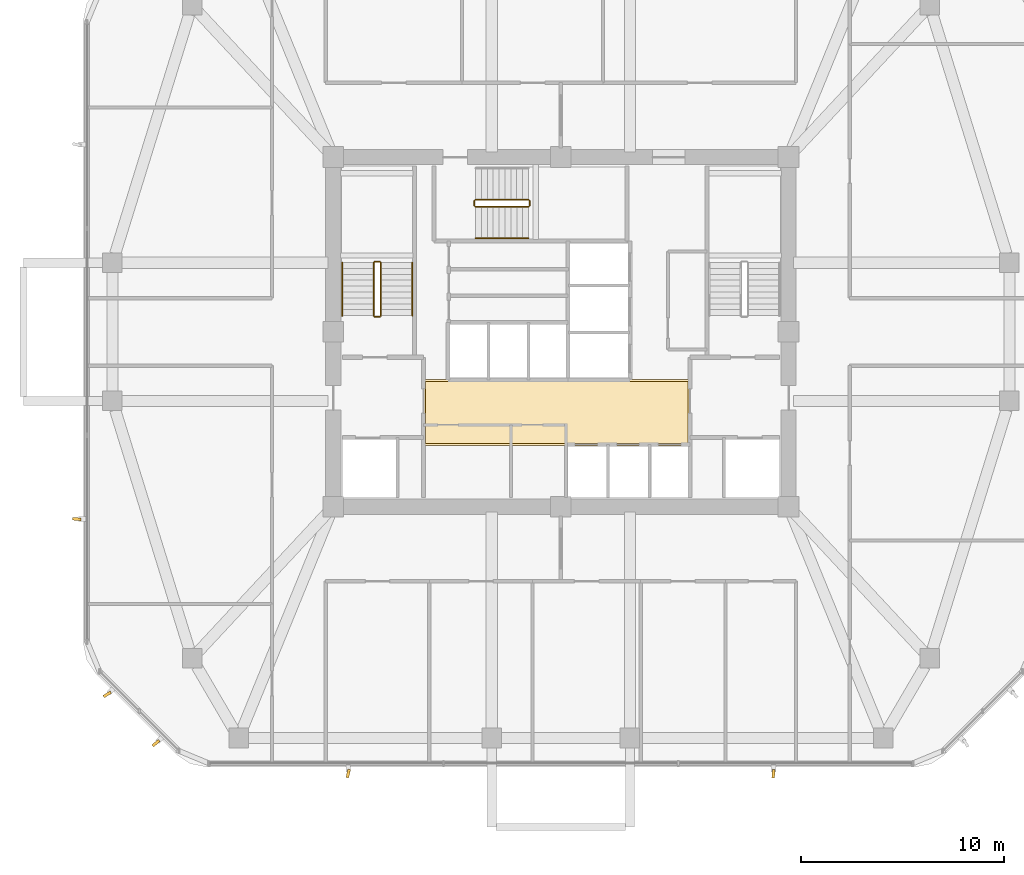
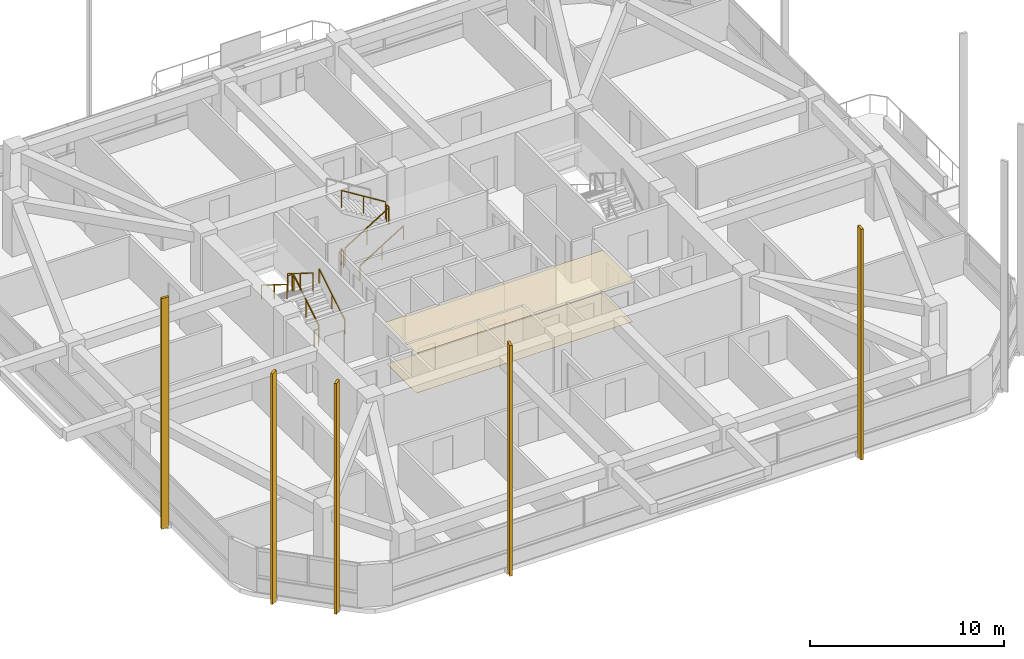
# One storey, part 12 of 14: 11 railings, 5 shading devices, 2 coverings.
"""IFC4 building model written with IfcOpenShell, lengths in metres."""

from ifc_helpers import new_model, si_unit, derived_unit, direction, frame, origin, origin_2d, place, context, subcontext, project, spatial, polyline, rectangle, outline, extrude, material, layer, layer_set, type_object, element, save


model = new_model("IFC4")

# Units and contexts
model_context = context("Model", 3, precision=1e-05, world=origin(), true_north=direction((0.0, 1.0)))
body_context = subcontext(model_context, "Body", "Model", "MODEL_VIEW")
ifc_project = project(units=[si_unit("LENGTHUNIT", "METRE"), si_unit("AREAUNIT", "SQUARE_METRE"), si_unit("VOLUMEUNIT", "CUBIC_METRE"), si_unit("PLANEANGLEUNIT", "RADIAN"), si_unit("MASSUNIT", "GRAM", prefix="KILO"), derived_unit("THERMALTRANSMITTANCEUNIT", [(si_unit("POWERUNIT", "WATT"), 1), (si_unit("LENGTHUNIT", "METRE"), -2), (si_unit("THERMODYNAMICTEMPERATUREUNIT", "KELVIN"), -1)])], contexts=[model_context])

# Site, building, storey
site_placement = place(None, origin())
site = spatial("IfcSite", under=ifc_project, at=site_placement, CompositionType="ELEMENT")
building_placement = place(site_placement, origin())
building = spatial("IfcBuilding", under=site, at=building_placement, Name="Koralith Skygarden Medical Center", CompositionType="ELEMENT")
storey_placement = place(building_placement, frame((0.0, 0.0, 145.6201171875)))
storey = spatial("IfcBuildingStorey", under=building, at=storey_placement, Name="L37", CompositionType="ELEMENT", Elevation=145.6201171875)

# Covering
ifc_material_1 = material(Name="Acoustic Mineral Tile")
ifc_layer_1 = layer(ifc_material_1, 0.02001953125)
ifc_layer_set_1 = layer_set([ifc_layer_1], Name="Acoustic Mineral Tile")
covering_type_1 = type_object("IfcCoveringType", Name="Acoustic Hygienic Mineral Ceiling 20", PredefinedType="CEILING", material=ifc_layer_set_1)
covering_1_placement = place(storey_placement, frame((0.0, 0.0, 2.5849609375)))
element("IfcCovering", 1, at=covering_1_placement, inside=storey, type_object=covering_type_1, Name="L37 Core Lobby Acoustic Ceiling", PredefinedType="CEILING", context=body_context, shape_type="SweptSolid", body=[
    extrude(outline(polyline([(30.25, 20.320068359375), (43.35009765625, 20.320068359375), (43.35009765625, 23.56005859375), (30.25, 23.56005859375), (30.25, 20.320068359375)])), origin(), (0.0, 0.0, 1.0), 0.02001953125),
])

# Shading devices
ifc_material_2 = material(Name="Aluminium 6063-T6", Category="aluminium")
shading_device_type = type_object("IfcShadingDeviceType", Name="Limestone-Clad Solar Storm Fin 420", PredefinedType="USERDEFINED", material=ifc_material_2)
for number, where, z_axis, x_axis, name in (
    (2, (26.5400390625, 4.169921875, -0.2001953125), (0.0, 0.0, 1.0), (-0.226464313299, -0.974019463256, 0.0), "L37 S Harmonic Solar Storm Fin 1"),
    (3, (47.4599609375, 4.169921875, -0.2001953125), (0.0, 0.0, 1.0), (-0.086755837554, -0.996229604384, 0.0), "L37 S Harmonic Solar Storm Fin 2"),
    (4, (13.18603515625, 16.68994140625, -0.2001953125), (0.0, 0.0, 1.0), (-0.996229604384, 0.086755837554, 0.0), "L37 W Harmonic Solar Storm Fin 2"),
    (5, (14.68408203125, 8.06591796875, -0.2001953125), (0.0, 0.0, 1.0), (-0.848870219107, -0.528601315846, 0.0), "L37 SW Harmonic Solar Storm Fin 1"),
    (6, (17.08203125, 5.66796875, -0.2001953125), (0.0, 0.0, 1.0), (-0.765786349921, -0.643095067836, 0.0), "L37 SW Harmonic Solar Storm Fin 2"),
):
    element("IfcShadingDevice", number, at=place(storey_placement, frame(where, z_axis=z_axis, x_axis=x_axis)), inside=storey, type_object=shading_device_type, Name=name, ObjectType="SOLAR FIN", PredefinedType="USERDEFINED", context=body_context, shape_type="SweptSolid", body=[
        extrude(rectangle(XDim=0.419921875, YDim=0.139892578125, at=origin_2d()), origin(), (0.0, 0.0, 1.0), 14.550048828125),
    ])

# Covering
ifc_material_3 = material(Name="Medical Terrazzo Flooring")
ifc_layer_2 = layer(ifc_material_3, 0.014892578125)
ifc_layer_set_2 = layer_set([ifc_layer_2], Name="Medical Terrazzo Flooring")
covering_type_2 = type_object("IfcCoveringType", Name="Seamless Antimicrobial Terrazzo Flooring 15", PredefinedType="FLOORING", material=ifc_layer_set_2)
covering_2_placement = place(storey_placement, origin())
element("IfcCovering", 7, at=covering_2_placement, inside=storey, type_object=covering_type_2, Name="L37 Core Lobby Terrazzo Flooring", PredefinedType="FLOORING", context=body_context, shape_type="SweptSolid", body=[
    extrude(outline(polyline([(30.35009765625, 20.419921875), (43.25, 20.419921875), (43.25, 23.4599609375), (30.35009765625, 23.4599609375), (30.35009765625, 20.419921875)])), origin(), (0.0, 0.0, 1.0), 0.014892578125),
])

# Railings
ifc_material_4 = material(Name="Steel ASTM A500 Grade C", Category="steel")
railing_type_1 = type_object("IfcRailingType", Name="Stair Flight Tubular Handrail 920", PredefinedType="HANDRAIL", material=ifc_material_4)
railing_1_placement = place(storey_placement, frame((29.699951171875, 26.699951171875, 0.179931640625)))
element("IfcRailing", 8, at=railing_1_placement, inside=storey, type_object=railing_type_1, Name="L37 ST1 stair handrail 1", PredefinedType="HANDRAIL", context=body_context, shape_type="SweptSolid", body=[
    extrude(rectangle(XDim=0.050048828125, YDim=0.050048828125, at=origin_2d()), frame((0.0, 0.001708984375, 0.89599609375), z_axis=(0.0, 0.849668407637, 0.527317358963), x_axis=(-1.0, 0.0, 0.0)), (0.0, 0.0, 1.0), 3.06787109375),
    extrude(rectangle(XDim=0.0419921875, YDim=0.0419921875, at=origin_2d()), origin(), (0.0, 0.0, 1.0), 0.867919921875),
    extrude(rectangle(XDim=0.0419921875, YDim=0.0419921875, at=origin_2d()), frame((0.0, 1.30517578125, 0.81005859375)), (0.0, 0.0, 1.0), 0.867919921875),
    extrude(rectangle(XDim=0.0419921875, YDim=0.0419921875, at=origin_2d()), frame((0.0, 2.610107421875, 1.619873046875)), (0.0, 0.0, 1.0), 0.867919921875),
])
railing_2_placement = place(storey_placement, frame((26.25, 29.31005859375, 1.97998046875)))
element("IfcRailing", 9, at=railing_2_placement, inside=storey, type_object=railing_type_1, Name="L37 ST1 stair handrail 2", PredefinedType="HANDRAIL", context=body_context, shape_type="SweptSolid", body=[
    extrude(rectangle(XDim=0.050048828125, YDim=0.050048828125, at=origin_2d()), frame((0.0, -0.001708984375, 0.89599609375), z_axis=(0.0, -0.849668407637, 0.527317358963), x_axis=(1.0, 0.0, 0.0)), (0.0, 0.0, 1.0), 3.06787109375),
    extrude(rectangle(XDim=0.0419921875, YDim=0.0419921875, at=origin_2d()), origin(), (0.0, 0.0, 1.0), 0.867919921875),
    extrude(rectangle(XDim=0.0419921875, YDim=0.0419921875, at=origin_2d()), frame((0.0, -1.30517578125, 0.81005859375)), (0.0, 0.0, 1.0), 0.867919921875),
    extrude(rectangle(XDim=0.0419921875, YDim=0.0419921875, at=origin_2d()), frame((0.0, -2.610107421875, 1.619873046875)), (0.0, 0.0, 1.0), 0.867919921875),
])
railing_3_placement = place(storey_placement, frame((32.800048828125, 30.5, 0.179931640625)))
element("IfcRailing", 10, at=railing_3_placement, inside=storey, type_object=railing_type_1, Name="L37 ST3 stair handrail 1", PredefinedType="HANDRAIL", context=body_context, shape_type="SweptSolid", body=[
    extrude(rectangle(XDim=0.050048828125, YDim=0.050048828125, at=origin_2d()), frame((0.001708984375, 0.0, 0.89599609375), z_axis=(0.849646306263, 0.0, 0.527352969322), x_axis=(0.0, 1.0, 0.0)), (0.0, 0.0, 1.0), 3.067626953125),
    extrude(rectangle(XDim=0.0419921875, YDim=0.0419921875, at=origin_2d()), origin(), (0.0, 0.0, 1.0), 0.867919921875),
    extrude(rectangle(XDim=0.0419921875, YDim=0.0419921875, at=origin_2d()), frame((1.304931640625, 0.0, 0.81005859375)), (0.0, 0.0, 1.0), 0.867919921875),
    extrude(rectangle(XDim=0.0419921875, YDim=0.0419921875, at=origin_2d()), frame((2.60986328125, 0.0, 1.619873046875)), (0.0, 0.0, 1.0), 0.867919921875),
])
railing_type_2 = type_object("IfcRailingType", Name="Stair Well Safety Guardrail 1100", PredefinedType="GUARDRAIL", material=ifc_material_4)
railing_4_placement = place(storey_placement, frame((28.14990234375, 26.699951171875, 0.179931640625)))
element("IfcRailing", 11, at=railing_4_placement, inside=storey, type_object=railing_type_2, Name="L37 ST1 stair guard 1", PredefinedType="GUARDRAIL", context=body_context, shape_type="SweptSolid", body=[
    extrude(rectangle(XDim=0.050048828125, YDim=0.050048828125, at=origin_2d()), frame((0.0, 0.001708984375, 1.076171875), z_axis=(0.0, 0.849668407637, 0.527317358963), x_axis=(-1.0, 0.0, 0.0)), (0.0, 0.0, 1.0), 3.06787109375),
    extrude(rectangle(XDim=0.0419921875, YDim=0.0419921875, at=origin_2d()), origin(), (0.0, 0.0, 1.0), 1.048095703125),
    extrude(rectangle(XDim=0.0419921875, YDim=0.0419921875, at=origin_2d()), frame((0.0, 1.30517578125, 0.81005859375)), (0.0, 0.0, 1.0), 1.048095703125),
    extrude(rectangle(XDim=0.0419921875, YDim=0.0419921875, at=origin_2d()), frame((0.0, 2.610107421875, 1.619873046875)), (0.0, 0.0, 1.0), 1.048095703125),
])
railing_5_placement = place(storey_placement, frame((28.10009765625, 29.360107421875, 1.7998046875)))
element("IfcRailing", 12, at=railing_5_placement, inside=storey, type_object=railing_type_2, Name="L37 ST1 stair guard 2", PredefinedType="GUARDRAIL", context=body_context, shape_type="SweptSolid", body=[
    extrude(rectangle(XDim=0.050048828125, YDim=0.050048828125, at=origin_2d()), frame((-0.001953125, 0.0, 1.0751953125), z_axis=(-1.0, 0.0, 0.0), x_axis=(0.0, -1.0, 0.0)), (0.0, 0.0, 1.0), 0.24609375),
    extrude(rectangle(XDim=0.0419921875, YDim=0.0419921875, at=origin_2d()), origin(), (0.0, 0.0, 1.0), 1.048095703125),
    extrude(rectangle(XDim=0.0419921875, YDim=0.0419921875, at=origin_2d()), frame((-0.25, 0.0, 0.0)), (0.0, 0.0, 1.0), 1.048095703125),
])
railing_6_placement = place(storey_placement, frame((27.800048828125, 29.31005859375, 1.97998046875)))
element("IfcRailing", 13, at=railing_6_placement, inside=storey, type_object=railing_type_2, Name="L37 ST1 stair guard 3", PredefinedType="GUARDRAIL", context=body_context, shape_type="SweptSolid", body=[
    extrude(rectangle(XDim=0.050048828125, YDim=0.050048828125, at=origin_2d()), frame((0.0, -0.001708984375, 1.076171875), z_axis=(0.0, -0.849668407637, 0.527317358963), x_axis=(1.0, 0.0, 0.0)), (0.0, 0.0, 1.0), 3.06787109375),
    extrude(rectangle(XDim=0.0419921875, YDim=0.0419921875, at=origin_2d()), origin(), (0.0, 0.0, 1.0), 1.048095703125),
    extrude(rectangle(XDim=0.0419921875, YDim=0.0419921875, at=origin_2d()), frame((0.0, -1.30517578125, 0.81005859375)), (0.0, 0.0, 1.0), 1.048095703125),
    extrude(rectangle(XDim=0.0419921875, YDim=0.0419921875, at=origin_2d()), frame((0.0, -2.610107421875, 1.619873046875)), (0.0, 0.0, 1.0), 1.048095703125),
])
railing_7_placement = place(storey_placement, frame((28.10009765625, 26.64990234375, 0.0)))
element("IfcRailing", 14, at=railing_7_placement, inside=storey, type_object=railing_type_2, Name="L37 ST1 stair guard 4", PredefinedType="GUARDRAIL", context=body_context, shape_type="SweptSolid", body=[
    extrude(rectangle(XDim=0.050048828125, YDim=0.050048828125, at=origin_2d()), frame((-0.001953125, 0.0, 1.0751953125), z_axis=(-1.0, 0.0, 0.0), x_axis=(0.0, -1.0, 0.0)), (0.0, 0.0, 1.0), 0.24609375),
    extrude(rectangle(XDim=0.0419921875, YDim=0.0419921875, at=origin_2d()), origin(), (0.0, 0.0, 1.0), 1.048095703125),
    extrude(rectangle(XDim=0.0419921875, YDim=0.0419921875, at=origin_2d()), frame((-0.25, 0.0, 0.0)), (0.0, 0.0, 1.0), 1.048095703125),
])
railing_8_placement = place(storey_placement, frame((32.800048828125, 32.050048828125, 0.179931640625)))
element("IfcRailing", 15, at=railing_8_placement, inside=storey, type_object=railing_type_2, Name="L37 ST3 stair guard 1", PredefinedType="GUARDRAIL", context=body_context, shape_type="SweptSolid", body=[
    extrude(rectangle(XDim=0.050048828125, YDim=0.050048828125, at=origin_2d()), frame((0.001708984375, 0.0, 1.076171875), z_axis=(0.849646306263, 0.0, 0.527352969322), x_axis=(0.0, 1.0, 0.0)), (0.0, 0.0, 1.0), 3.067626953125),
    extrude(rectangle(XDim=0.0419921875, YDim=0.0419921875, at=origin_2d()), origin(), (0.0, 0.0, 1.0), 1.048095703125),
    extrude(rectangle(XDim=0.0419921875, YDim=0.0419921875, at=origin_2d()), frame((1.304931640625, 0.0, 0.81005859375)), (0.0, 0.0, 1.0), 1.048095703125),
    extrude(rectangle(XDim=0.0419921875, YDim=0.0419921875, at=origin_2d()), frame((2.60986328125, 0.0, 1.619873046875)), (0.0, 0.0, 1.0), 1.048095703125),
])
railing_9_placement = place(storey_placement, frame((35.4599609375, 32.10009765625, 1.7998046875)))
element("IfcRailing", 16, at=railing_9_placement, inside=storey, type_object=railing_type_2, Name="L37 ST3 stair guard 2", PredefinedType="GUARDRAIL", context=body_context, shape_type="SweptSolid", body=[
    extrude(rectangle(XDim=0.050048828125, YDim=0.050048828125, at=origin_2d()), frame((0.0, 0.001953125, 1.0751953125), z_axis=(0.0, 1.0, 0.0), x_axis=(-1.0, 0.0, 0.0)), (0.0, 0.0, 1.0), 0.24609375),
    extrude(rectangle(XDim=0.0419921875, YDim=0.0419921875, at=origin_2d()), origin(), (0.0, 0.0, 1.0), 1.048095703125),
    extrude(rectangle(XDim=0.0419921875, YDim=0.0419921875, at=origin_2d()), frame((0.0, 0.25, 0.0)), (0.0, 0.0, 1.0), 1.048095703125),
])
railing_10_placement = place(storey_placement, frame((35.409912109375, 32.39990234375, 1.97998046875)))
element("IfcRailing", 17, at=railing_10_placement, inside=storey, type_object=railing_type_2, Name="L37 ST3 stair guard 3", PredefinedType="GUARDRAIL", context=body_context, shape_type="SweptSolid", body=[
    extrude(rectangle(XDim=0.050048828125, YDim=0.050048828125, at=origin_2d()), frame((-0.001708984375, 0.0, 1.076171875), z_axis=(-0.849646306263, 0.0, 0.527352969322), x_axis=(0.0, -1.0, 0.0)), (0.0, 0.0, 1.0), 3.067626953125),
    extrude(rectangle(XDim=0.0419921875, YDim=0.0419921875, at=origin_2d()), origin(), (0.0, 0.0, 1.0), 1.048095703125),
    extrude(rectangle(XDim=0.0419921875, YDim=0.0419921875, at=origin_2d()), frame((-1.304931640625, 0.0, 0.81005859375)), (0.0, 0.0, 1.0), 1.048095703125),
    extrude(rectangle(XDim=0.0419921875, YDim=0.0419921875, at=origin_2d()), frame((-2.60986328125, 0.0, 1.619873046875)), (0.0, 0.0, 1.0), 1.048095703125),
])
railing_11_placement = place(storey_placement, frame((32.75, 32.10009765625, 0.0)))
element("IfcRailing", 18, at=railing_11_placement, inside=storey, type_object=railing_type_2, Name="L37 ST3 stair guard 4", PredefinedType="GUARDRAIL", context=body_context, shape_type="SweptSolid", body=[
    extrude(rectangle(XDim=0.050048828125, YDim=0.050048828125, at=origin_2d()), frame((0.0, 0.001953125, 1.0751953125), z_axis=(0.0, 1.0, 0.0), x_axis=(-1.0, 0.0, 0.0)), (0.0, 0.0, 1.0), 0.24609375),
    extrude(rectangle(XDim=0.0419921875, YDim=0.0419921875, at=origin_2d()), origin(), (0.0, 0.0, 1.0), 1.048095703125),
    extrude(rectangle(XDim=0.0419921875, YDim=0.0419921875, at=origin_2d()), frame((0.0, 0.25, 0.0)), (0.0, 0.0, 1.0), 1.048095703125),
])

save(model, "model.ifc")
